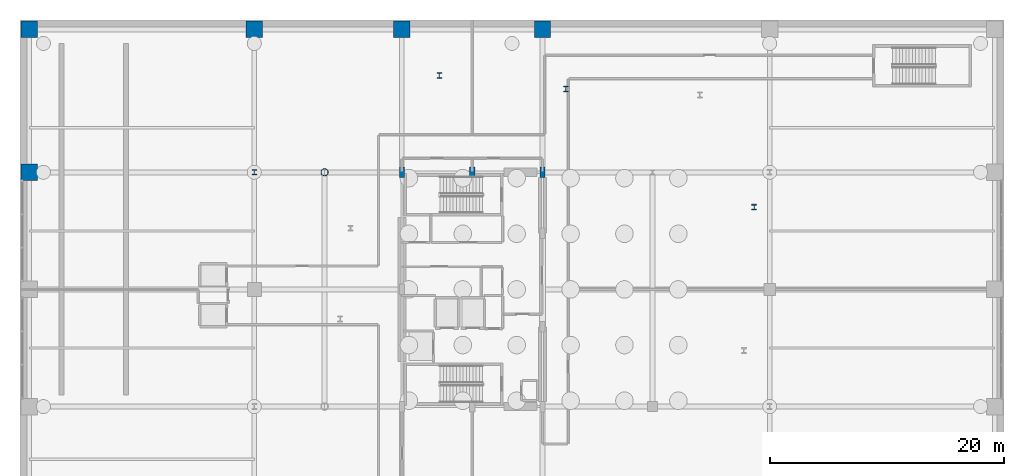
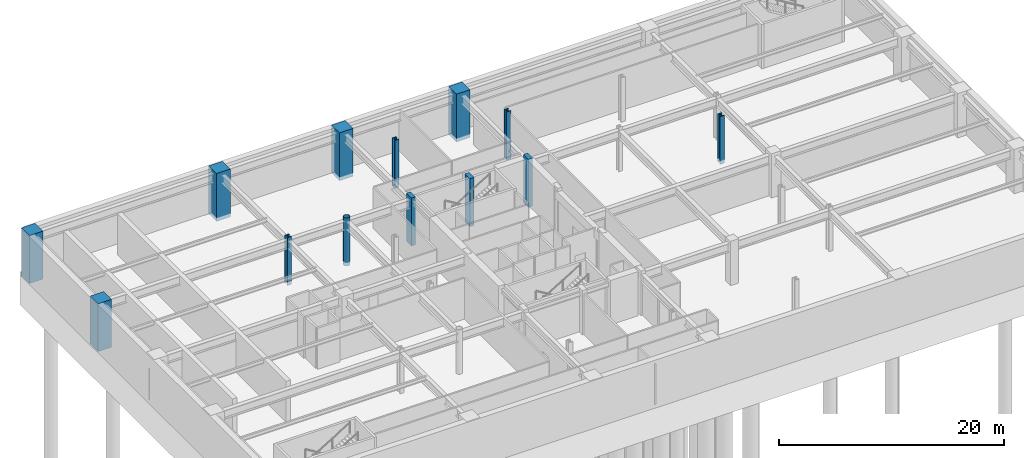
# One storey, part 3 of 25: 13 columns.
"""IFC4 building model written with IfcOpenShell, lengths in metres."""

from ifc_helpers import new_model, si_unit, direction, frame, origin, origin_2d, place, context, subcontext, project, spatial, rectangle, hollow_circle, i_section, extrude, material, material_profile, profile_set, type_object, element, save


model = new_model("IFC4")

# Units and contexts
model_context = context("Model", 3, precision=1e-05, world=origin(), true_north=direction((0.0, 1.0)))
body_context = subcontext(model_context, "Body", "Model", "MODEL_VIEW")
ifc_project = project(units=[si_unit("LENGTHUNIT", "METRE"), si_unit("AREAUNIT", "SQUARE_METRE"), si_unit("VOLUMEUNIT", "CUBIC_METRE"), si_unit("PLANEANGLEUNIT", "RADIAN"), si_unit("MASSUNIT", "GRAM", prefix="KILO")], contexts=[model_context])

# Site, building, storey
site_placement = place(None, origin())
site = spatial("IfcSite", under=ifc_project, at=site_placement, CompositionType="ELEMENT")
building_placement = place(site_placement, origin())
building = spatial("IfcBuilding", under=site, at=building_placement, Name="Soratama Intermodal Tower", CompositionType="ELEMENT")
storey_placement = place(building_placement, frame((0.0, 0.0, -10.199951171875)))
storey = spatial("IfcBuildingStorey", under=building, at=storey_placement, Name="B2", CompositionType="ELEMENT", Elevation=-10.199951171875)

# Columns
ifc_material_1 = material(Name="Concrete f'c 56 MPa", Category="concrete")
ifc_material_profile_1 = material_profile(ifc_material_1, rectangle(XDim=1.39990234375, YDim=1.39990234375, at=origin_2d()), Name="RC1400X1400")
ifc_profile_set_1 = profile_set([ifc_material_profile_1], Name="Concrete f'c 56 MPa")
column_type_1 = type_object("IfcColumnType", Name="COL-POD-EXT-RC1400", PredefinedType="COLUMN", material=ifc_profile_set_1)
for number, where, z_axis, x_axis, name in (
    (1, (0.800048828125, 35.0, -0.400146484375), (0.0, 0.0, 1.0), (1.0, 0.0, 0.0), "B2 Station Column P09"),
    (2, (0.800048828125, 47.199951171875, -0.400146484375), (0.0, 0.0, 1.0), (1.0, 0.0, 0.0), "B2 Station Column P13"),
    (3, (20.0, 47.199951171875, -0.400146484375), (0.0, 0.0, 1.0), (1.0, 0.0, 0.0), "B2 Station Column P14"),
    (4, (32.60009765625, 47.199951171875, -0.400146484375), (0.0, 0.0, 1.0), (1.0, 0.0, 0.0), "B2 Station Column P23"),
    (5, (44.60009765625, 47.199951171875, -0.400146484375), (0.0, 0.0, 1.0), (1.0, 0.0, 0.0), "B2 Station Column P24"),
):
    element("IfcColumn", number, at=place(storey_placement, frame(where, z_axis=z_axis, x_axis=x_axis)), inside=storey, type_object=column_type_1, Name=name, PredefinedType="COLUMN", context=body_context, shape_type="SweptSolid", body=[
        extrude(rectangle(XDim=1.39990234375, YDim=1.39990234375, at=origin_2d()), origin(), (0.0, 0.0, 1.0), 5.2001953125),
    ])
ifc_material_2 = material(Name="Structural steel ASTM A992 Grade 50", Category="steel")
ifc_material_profile_2 = material_profile(ifc_material_2, i_section(OverallWidth=0.431884765625, OverallDepth=0.498046875, WebThickness=0.0556640625, FlangeThickness=0.0888671875, FilletRadius=0.0380859375, at=origin_2d()), Name="W14X500")
ifc_profile_set_2 = profile_set([ifc_material_profile_2], Name="Structural steel ASTM A992 Grade 50")
column_type_2 = type_object("IfcColumnType", Name="COL-POD-W14X500", PredefinedType="COLUMN", material=ifc_profile_set_2)
for number, where, z_axis, x_axis, name in (
    (6, (20.0, 35.0, -0.400146484375), (0.0, 0.0, 1.0), (1.0, 0.0, 0.0), "B2 Station Column P10"),
    (7, (62.6689453125, 32.02490234375, -0.400146484375), (0.0, 0.0, 1.0), (1.0, 0.0, 0.0), "B2 Station Column P29"),
    (8, (46.60107421875, 42.116943359375, -0.400146484375), (0.0, 0.0, 1.0), (1.0, 0.0, 0.0), "B2 Station Column P31"),
    (9, (35.7958984375, 43.264892578125, -0.400146484375), (0.0, 0.0, 1.0), (1.0, 0.0, 0.0), "B2 Station Column P32"),
):
    element("IfcColumn", number, at=place(storey_placement, frame(where, z_axis=z_axis, x_axis=x_axis)), inside=storey, type_object=column_type_2, Name=name, PredefinedType="COLUMN", context=body_context, shape_type="SweptSolid", body=[
        extrude(i_section(OverallWidth=0.431884765625, OverallDepth=0.498046875, WebThickness=0.0556640625, FlangeThickness=0.0888671875, FilletRadius=0.0380859375, at=origin_2d()), origin(), (0.0, 0.0, 1.0), 5.2001953125),
    ])
ifc_material_3 = material(Name="Structural steel ASTM A500 Grade C", Category="steel")
ifc_material_profile_3 = material_profile(ifc_material_3, hollow_circle(Radius=0.304931640625, WallThickness=0.02197265625, at=origin_2d()), Name="CHS610X22")
ifc_profile_set_3 = profile_set([ifc_material_profile_3], Name="Structural steel ASTM A500 Grade C")
column_type_3 = type_object("IfcColumnType", Name="COL-POOL-CHS610", PredefinedType="COLUMN", material=ifc_profile_set_3)
column_placement = place(storey_placement, frame((26.0, 35.0, -0.400146484375), z_axis=(0.0, 0.0, 1.0), x_axis=(1.0, 0.0, 0.0)))
element("IfcColumn", 10, at=column_placement, inside=storey, type_object=column_type_3, Name="B2 Station Column P28", PredefinedType="COLUMN", context=body_context, shape_type="SweptSolid", body=[
    extrude(hollow_circle(Radius=0.304931640625, WallThickness=0.02197265625, at=origin_2d()), origin(), (0.0, 0.0, 1.0), 5.2001953125),
])
ifc_material_4 = material(Name="Concrete f'c 56 MPa", Category="concrete")
ifc_material_profile_4 = material_profile(ifc_material_4, rectangle(XDim=0.449951171875, YDim=0.89990234375, at=origin_2d()), Name="RC450X900")
ifc_profile_set_4 = profile_set([ifc_material_profile_4], Name="Concrete f'c 56 MPa")
column_type_4 = type_object("IfcColumnType", Name="PIL-CORE-450X900", PredefinedType="PILASTER", material=ifc_profile_set_4)
for number, where, z_axis, x_axis, name in (
    (11, (32.60009765625, 35.0, -0.400146484375), (0.0, 0.0, 1.0), (1.0, 0.0, 0.0), "B2 Core Pilaster 3"),
    (12, (38.60009765625, 35.0, -0.400146484375), (0.0, 0.0, 1.0), (1.0, 0.0, 0.0), "B2 Core Pilaster 5"),
    (13, (44.60009765625, 35.0, -0.400146484375), (0.0, 0.0, 1.0), (1.0, 0.0, 0.0), "B2 Core Pilaster 9"),
):
    element("IfcColumn", number, at=place(storey_placement, frame(where, z_axis=z_axis, x_axis=x_axis)), inside=storey, type_object=column_type_4, Name=name, PredefinedType="PILASTER", context=body_context, shape_type="SweptSolid", body=[
        extrude(rectangle(XDim=0.449951171875, YDim=0.89990234375, at=origin_2d()), origin(), (0.0, 0.0, 1.0), 5.2001953125),
    ])

save(model, "model.ifc")
